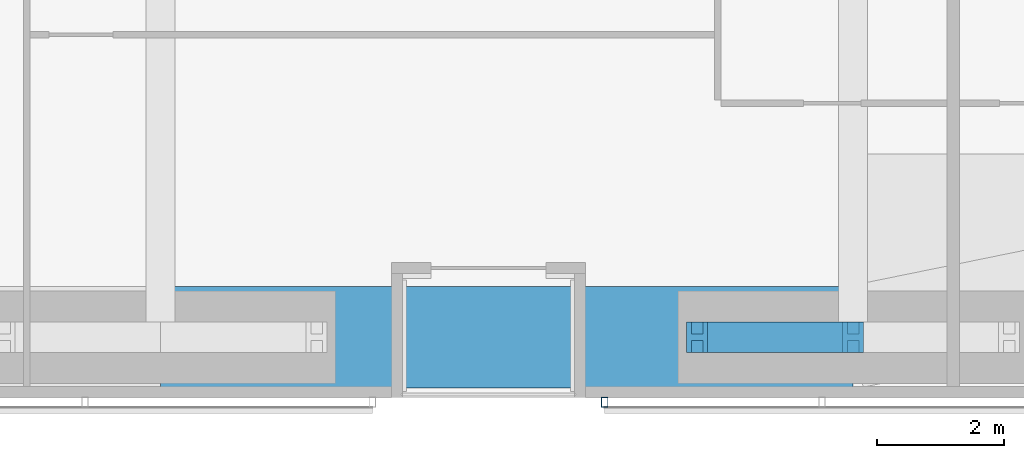
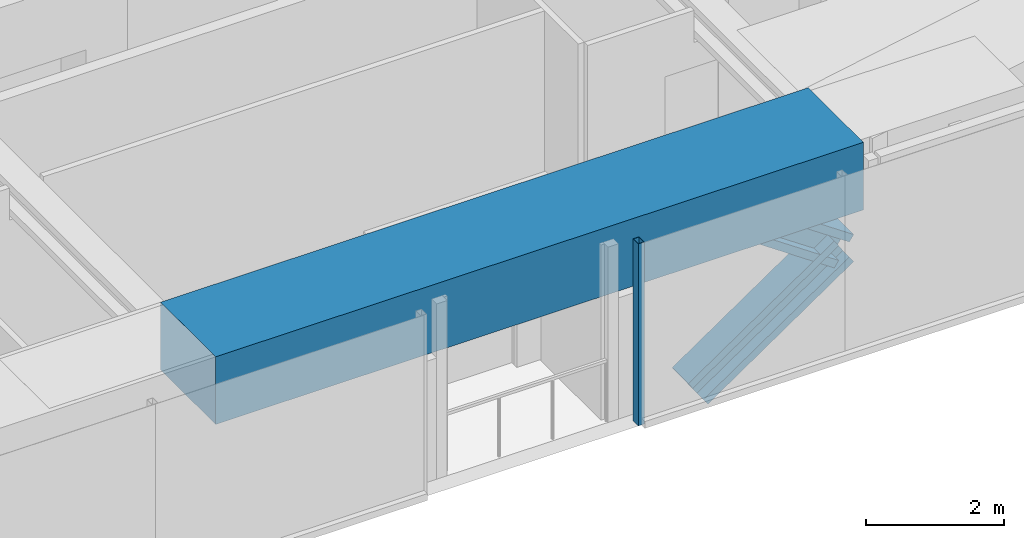
# One storey, part 5 of 24: 3 members, 1 beam, 1 element without a shape of its own.
"""IFC4 building model written with IfcOpenShell, lengths in metres."""

from ifc_helpers import new_model, si_unit, direction, frame, origin, origin_2d, place, context, subcontext, project, spatial, rectangle, hollow_rectangle, i_section, extrude, material, material_profile, profile_set, type_object, element, aggregate, save


model = new_model("IFC4")

# Units and contexts
model_context = context("Model", 3, precision=1e-05, world=origin(), true_north=direction((0.0, 1.0)))
body_context = subcontext(model_context, "Body", "Model", "MODEL_VIEW")
ifc_project = project(units=[si_unit("LENGTHUNIT", "METRE"), si_unit("AREAUNIT", "SQUARE_METRE"), si_unit("VOLUMEUNIT", "CUBIC_METRE"), si_unit("PLANEANGLEUNIT", "RADIAN"), si_unit("MASSUNIT", "GRAM", prefix="KILO")], contexts=[model_context])

# Site, building, storey
site_placement = place(None, origin())
site = spatial("IfcSite", under=ifc_project, at=site_placement, CompositionType="ELEMENT")
building_placement = place(site_placement, origin())
building = spatial("IfcBuilding", under=site, at=building_placement, Name="Jalousie Tower", CompositionType="ELEMENT")
storey_placement = place(building_placement, frame((0.0, 0.0, 135.0)))
storey = spatial("IfcBuildingStorey", under=building, at=storey_placement, Name="L37", CompositionType="ELEMENT", Elevation=135.0)

# Members
ifc_material_1 = material(Name="Steel ASTM A992 Grade 50", Category="steel")
ifc_material_profile_1 = material_profile(ifc_material_1, i_section(OverallWidth=0.472412109375, OverallDepth=0.5791015625, WebThickness=0.094970703125, FlangeThickness=0.1298828125, at=origin_2d()), Name="W14X808")
ifc_profile_set_1 = profile_set([ifc_material_profile_1], Name="Steel ASTM A992 Grade 50")
member_type_1 = type_object("IfcMemberType", Name="PERIMETER BRACE W14X808", PredefinedType="BRACE", material=ifc_profile_set_1)
for number, where, z_axis, x_axis, name in (
    (1, (36.175048828125, 0.949951171875, -0.60009765625), (0.825500916831, 0.0, 0.564400776321), (0.0, 1.0, 0.0), "Perimeter brace 04 L37 part 1"),
    (2, (38.625, 0.949951171875, 1.074951171875), (-0.825500916831, 0.0, 0.564400776321), (0.0, -1.0, 0.0), "Perimeter brace 04 L37 part 4"),
):
    element("IfcMember", number, at=place(storey_placement, frame(where, z_axis=z_axis, x_axis=x_axis)), inside=storey, type_object=member_type_1, Name=name, PredefinedType="BRACE", context=body_context, shape_type="SweptSolid", body=[
        extrude(i_section(OverallWidth=0.472412109375, OverallDepth=0.5791015625, WebThickness=0.094970703125, FlangeThickness=0.1298828125, at=origin_2d()), origin(), (0.0, 0.0, 1.0), 2.9677734375),
    ])

# Beam
ifc_material_2 = material(Name="Concrete f'c 40 MPa", Category="concrete")
ifc_material_profile_2 = material_profile(ifc_material_2, rectangle(XDim=1.60009765625, YDim=1.199951171875, at=origin_2d()), Name="RC 1600x1200")
ifc_profile_set_2 = profile_set([ifc_material_profile_2], Name="Concrete f'c 40 MPa")
beam_type = type_object("IfcBeamType", Name="RC BEAM 1600x1200", PredefinedType="BEAM", material=ifc_profile_set_2)
beam_placement = place(storey_placement, frame((27.75, 0.949951171875, 2.75), z_axis=(1.0, 0.0, 0.0), x_axis=(0.0, 1.0, 0.0)))
element("IfcBeam", 3, at=beam_placement, inside=storey, type_object=beam_type, Name="Edge band beam 03-04 under L38", PredefinedType="BEAM", context=body_context, shape_type="SweptSolid", body=[
    extrude(rectangle(XDim=1.60009765625, YDim=1.199951171875, at=origin_2d()), origin(), (0.0, 0.0, 1.0), 10.875),
])

# Curtain wall, member
ifc_material_3 = material(Name="Perforated aluminium sheet", Category="aluminium")
curtain_wall_type = type_object("IfcCurtainWallType", Name="SOLAR SCREEN SS-1", PredefinedType="USERDEFINED", material=ifc_material_3)
curtain_wall_placement = place(storey_placement, origin())
curtain_wall = element("IfcCurtainWall", 4, at=curtain_wall_placement, inside=storey, type_object=curtain_wall_type, Name="Solar screen L37", ObjectType="SOLAR SCREEN SS-1", PredefinedType="USERDEFINED")
ifc_material_4 = material(Name="Steel ASTM A500 Grade C", Category="steel")
ifc_material_profile_3 = material_profile(ifc_material_4, hollow_rectangle(XDim=0.1015625, YDim=0.15234375, WallThickness=0.00634765625, at=origin_2d()), Name="HSS6X4X1/4")
ifc_profile_set_3 = profile_set([ifc_material_profile_3], Name="Steel ASTM A500 Grade C")
member_type_2 = type_object("IfcMemberType", Name="SOLAR SCREEN SS-1 MULLION", PredefinedType="MULLION", material=ifc_profile_set_3)
member_placement = place(storey_placement, frame((34.72509765625, -0.0712890625, -0.1201171875), z_axis=(0.0, 0.0, 1.0), x_axis=(1.0, 0.0, 0.0)))
member = element("IfcMember", 5, at=member_placement, type_object=member_type_2, Name="SS1 post 1", PredefinedType="MULLION", context=body_context, shape_type="SweptSolid", body=[
    extrude(hollow_rectangle(XDim=0.1015625, YDim=0.15234375, WallThickness=0.00634765625, at=origin_2d()), origin(), (0.0, 0.0, 1.0), 3.230224609375),
])
aggregate(curtain_wall, [member])

save(model, "model.ifc")
